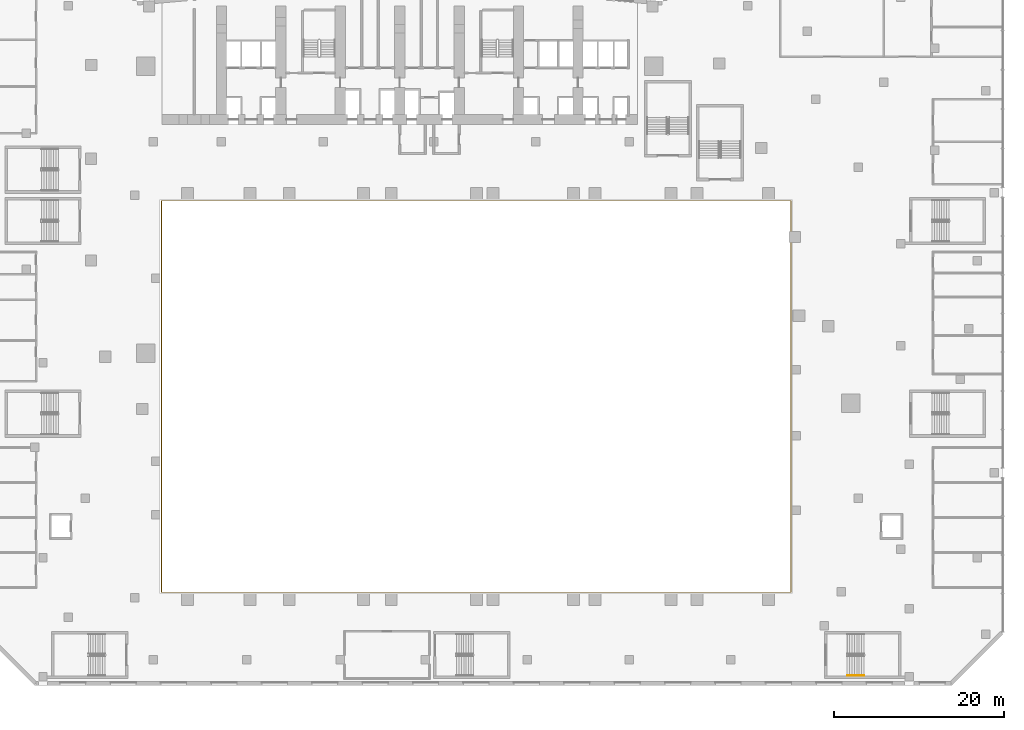
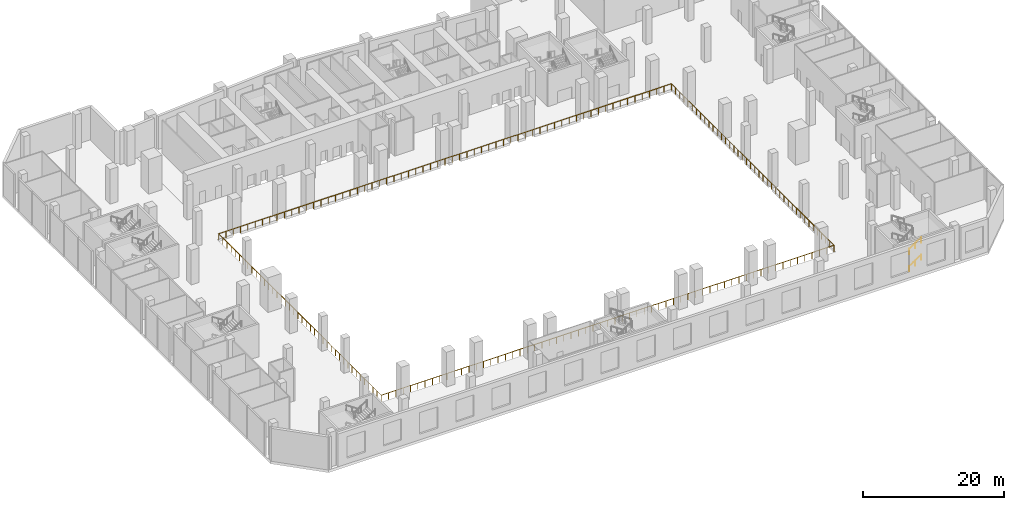
# One storey, part 25 of 30: 3 railings.
"""IFC4 building model written with IfcOpenShell, lengths in metres."""

from ifc_helpers import new_model, si_unit, direction, frame, origin, origin_2d, place, context, subcontext, project, spatial, circle, extrude, material, type_object, element, save


model = new_model("IFC4")

# Units and contexts
model_context = context("Model", 3, precision=1e-05, world=origin(), true_north=direction((0.0, 1.0)))
body_context = subcontext(model_context, "Body", "Model", "MODEL_VIEW")
ifc_project = project(units=[si_unit("LENGTHUNIT", "METRE"), si_unit("AREAUNIT", "SQUARE_METRE"), si_unit("VOLUMEUNIT", "CUBIC_METRE"), si_unit("PLANEANGLEUNIT", "RADIAN"), si_unit("MASSUNIT", "GRAM", prefix="KILO")], contexts=[model_context])

# Site, building, storey
site_placement = place(None, origin())
site = spatial("IfcSite", under=ifc_project, at=site_placement, CompositionType="ELEMENT")
building_placement = place(site_placement, origin())
building = spatial("IfcBuilding", under=site, at=building_placement, Name="Wharfspan Tower", CompositionType="ELEMENT")
storey_placement = place(building_placement, frame((0.0, 0.0, 21.5)))
storey = spatial("IfcBuildingStorey", under=building, at=storey_placement, Name="L03", CompositionType="ELEMENT", Elevation=21.5)

# Railings
ifc_material = material(Name="Steel S355J2", Category="steel")
railing_type_1 = type_object("IfcRailingType", Name="Guard 1100", PredefinedType="GUARDRAIL", material=ifc_material)
railing_placement = place(storey_placement, frame((8.949951, -21.050049, 0.0)))
element("IfcRailing", 1, at=railing_placement, inside=storey, type_object=railing_type_1, Name="Guard on the arena edge L03", PredefinedType="GUARDRAIL", context=body_context, shape_type="SweptSolid", body=[
    extrude(circle(Radius=0.024902, at=origin_2d()), frame((0.0, 0.0, 1.075195), z_axis=(1.0, 0.0, 0.0), x_axis=(0.0, 1.0, 0.0)), (0.0, 0.0, 1.0), 74.100098),
    extrude(circle(Radius=0.024902, at=origin_2d()), frame((74.100098, 0.0, 1.075195), z_axis=(0.0, 1.0, 0.0), x_axis=(-1.0, 0.0, 0.0)), (0.0, 0.0, 1.0), 46.100098),
    extrude(circle(Radius=0.024902, at=origin_2d()), frame((74.100098, 46.100098, 1.075195), z_axis=(-1.0, 0.0, 0.0), x_axis=(0.0, -1.0, 0.0)), (0.0, 0.0, 1.0), 74.100098),
    extrude(circle(Radius=0.024902, at=origin_2d()), frame((0.0, 46.100098, 1.075195), z_axis=(0.0, -1.0, 0.0), x_axis=(1.0, 0.0, 0.0)), (0.0, 0.0, 1.0), 46.100098),
    extrude(circle(Radius=0.02002, at=origin_2d()), origin(), (0.0, 0.0, 1.0), 1.050049),
    extrude(circle(Radius=0.02002, at=origin_2d()), frame((1.195068, 0.0, 0.0)), (0.0, 0.0, 1.0), 1.050049),
    extrude(circle(Radius=0.02002, at=origin_2d()), frame((2.390381, 0.0, 0.0)), (0.0, 0.0, 1.0), 1.050049),
    extrude(circle(Radius=0.02002, at=origin_2d()), frame((3.585449, 0.0, 0.0)), (0.0, 0.0, 1.0), 1.050049),
    extrude(circle(Radius=0.02002, at=origin_2d()), frame((4.780762, 0.0, 0.0)), (0.0, 0.0, 1.0), 1.050049),
    extrude(circle(Radius=0.02002, at=origin_2d()), frame((5.97583, 0.0, 0.0)), (0.0, 0.0, 1.0), 1.050049),
    extrude(circle(Radius=0.02002, at=origin_2d()), frame((7.170898, 0.0, 0.0)), (0.0, 0.0, 1.0), 1.050049),
    extrude(circle(Radius=0.02002, at=origin_2d()), frame((8.366211, 0.0, 0.0)), (0.0, 0.0, 1.0), 1.050049),
    extrude(circle(Radius=0.02002, at=origin_2d()), frame((9.561279, 0.0, 0.0)), (0.0, 0.0, 1.0), 1.050049),
    extrude(circle(Radius=0.02002, at=origin_2d()), frame((10.756348, 0.0, 0.0)), (0.0, 0.0, 1.0), 1.050049),
    extrude(circle(Radius=0.02002, at=origin_2d()), frame((11.95166, 0.0, 0.0)), (0.0, 0.0, 1.0), 1.050049),
    extrude(circle(Radius=0.02002, at=origin_2d()), frame((13.146729, 0.0, 0.0)), (0.0, 0.0, 1.0), 1.050049),
    extrude(circle(Radius=0.02002, at=origin_2d()), frame((14.342041, 0.0, 0.0)), (0.0, 0.0, 1.0), 1.050049),
    extrude(circle(Radius=0.02002, at=origin_2d()), frame((15.537109, 0.0, 0.0)), (0.0, 0.0, 1.0), 1.050049),
    extrude(circle(Radius=0.02002, at=origin_2d()), frame((16.732178, 0.0, 0.0)), (0.0, 0.0, 1.0), 1.050049),
    extrude(circle(Radius=0.02002, at=origin_2d()), frame((17.92749, 0.0, 0.0)), (0.0, 0.0, 1.0), 1.050049),
    extrude(circle(Radius=0.02002, at=origin_2d()), frame((19.122559, 0.0, 0.0)), (0.0, 0.0, 1.0), 1.050049),
    extrude(circle(Radius=0.02002, at=origin_2d()), frame((20.317871, 0.0, 0.0)), (0.0, 0.0, 1.0), 1.050049),
    extrude(circle(Radius=0.02002, at=origin_2d()), frame((21.512939, 0.0, 0.0)), (0.0, 0.0, 1.0), 1.050049),
    extrude(circle(Radius=0.02002, at=origin_2d()), frame((22.708008, 0.0, 0.0)), (0.0, 0.0, 1.0), 1.050049),
    extrude(circle(Radius=0.02002, at=origin_2d()), frame((23.90332, 0.0, 0.0)), (0.0, 0.0, 1.0), 1.050049),
    extrude(circle(Radius=0.02002, at=origin_2d()), frame((25.098389, 0.0, 0.0)), (0.0, 0.0, 1.0), 1.050049),
    extrude(circle(Radius=0.02002, at=origin_2d()), frame((26.293701, 0.0, 0.0)), (0.0, 0.0, 1.0), 1.050049),
    extrude(circle(Radius=0.02002, at=origin_2d()), frame((27.48877, 0.0, 0.0)), (0.0, 0.0, 1.0), 1.050049),
    extrude(circle(Radius=0.02002, at=origin_2d()), frame((28.683838, 0.0, 0.0)), (0.0, 0.0, 1.0), 1.050049),
    extrude(circle(Radius=0.02002, at=origin_2d()), frame((29.87915, 0.0, 0.0)), (0.0, 0.0, 1.0), 1.050049),
    extrude(circle(Radius=0.02002, at=origin_2d()), frame((31.074219, 0.0, 0.0)), (0.0, 0.0, 1.0), 1.050049),
    extrude(circle(Radius=0.02002, at=origin_2d()), frame((32.269287, 0.0, 0.0)), (0.0, 0.0, 1.0), 1.050049),
    extrude(circle(Radius=0.02002, at=origin_2d()), frame((33.4646, 0.0, 0.0)), (0.0, 0.0, 1.0), 1.050049),
    extrude(circle(Radius=0.02002, at=origin_2d()), frame((34.659668, 0.0, 0.0)), (0.0, 0.0, 1.0), 1.050049),
    extrude(circle(Radius=0.02002, at=origin_2d()), frame((35.85498, 0.0, 0.0)), (0.0, 0.0, 1.0), 1.050049),
    extrude(circle(Radius=0.02002, at=origin_2d()), frame((37.050049, 0.0, 0.0)), (0.0, 0.0, 1.0), 1.050049),
    extrude(circle(Radius=0.02002, at=origin_2d()), frame((38.245117, 0.0, 0.0)), (0.0, 0.0, 1.0), 1.050049),
    extrude(circle(Radius=0.02002, at=origin_2d()), frame((39.44043, 0.0, 0.0)), (0.0, 0.0, 1.0), 1.050049),
    extrude(circle(Radius=0.02002, at=origin_2d()), frame((40.635498, 0.0, 0.0)), (0.0, 0.0, 1.0), 1.050049),
    extrude(circle(Radius=0.02002, at=origin_2d()), frame((41.830811, 0.0, 0.0)), (0.0, 0.0, 1.0), 1.050049),
    extrude(circle(Radius=0.02002, at=origin_2d()), frame((43.025879, 0.0, 0.0)), (0.0, 0.0, 1.0), 1.050049),
    extrude(circle(Radius=0.02002, at=origin_2d()), frame((44.220947, 0.0, 0.0)), (0.0, 0.0, 1.0), 1.050049),
    extrude(circle(Radius=0.02002, at=origin_2d()), frame((45.41626, 0.0, 0.0)), (0.0, 0.0, 1.0), 1.050049),
    extrude(circle(Radius=0.02002, at=origin_2d()), frame((46.611328, 0.0, 0.0)), (0.0, 0.0, 1.0), 1.050049),
    extrude(circle(Radius=0.02002, at=origin_2d()), frame((47.806396, 0.0, 0.0)), (0.0, 0.0, 1.0), 1.050049),
    extrude(circle(Radius=0.02002, at=origin_2d()), frame((49.001709, 0.0, 0.0)), (0.0, 0.0, 1.0), 1.050049),
    extrude(circle(Radius=0.02002, at=origin_2d()), frame((50.196777, 0.0, 0.0)), (0.0, 0.0, 1.0), 1.050049),
    extrude(circle(Radius=0.02002, at=origin_2d()), frame((51.39209, 0.0, 0.0)), (0.0, 0.0, 1.0), 1.050049),
    extrude(circle(Radius=0.02002, at=origin_2d()), frame((52.587158, 0.0, 0.0)), (0.0, 0.0, 1.0), 1.050049),
    extrude(circle(Radius=0.02002, at=origin_2d()), frame((53.782227, 0.0, 0.0)), (0.0, 0.0, 1.0), 1.050049),
    extrude(circle(Radius=0.02002, at=origin_2d()), frame((54.977539, 0.0, 0.0)), (0.0, 0.0, 1.0), 1.050049),
    extrude(circle(Radius=0.02002, at=origin_2d()), frame((56.172607, 0.0, 0.0)), (0.0, 0.0, 1.0), 1.050049),
    extrude(circle(Radius=0.02002, at=origin_2d()), frame((57.36792, 0.0, 0.0)), (0.0, 0.0, 1.0), 1.050049),
    extrude(circle(Radius=0.02002, at=origin_2d()), frame((58.562988, 0.0, 0.0)), (0.0, 0.0, 1.0), 1.050049),
    extrude(circle(Radius=0.02002, at=origin_2d()), frame((59.758057, 0.0, 0.0)), (0.0, 0.0, 1.0), 1.050049),
    extrude(circle(Radius=0.02002, at=origin_2d()), frame((60.953369, 0.0, 0.0)), (0.0, 0.0, 1.0), 1.050049),
    extrude(circle(Radius=0.02002, at=origin_2d()), frame((62.148438, 0.0, 0.0)), (0.0, 0.0, 1.0), 1.050049),
    extrude(circle(Radius=0.02002, at=origin_2d()), frame((63.34375, 0.0, 0.0)), (0.0, 0.0, 1.0), 1.050049),
    extrude(circle(Radius=0.02002, at=origin_2d()), frame((64.538818, 0.0, 0.0)), (0.0, 0.0, 1.0), 1.050049),
    extrude(circle(Radius=0.02002, at=origin_2d()), frame((65.733887, 0.0, 0.0)), (0.0, 0.0, 1.0), 1.050049),
    extrude(circle(Radius=0.02002, at=origin_2d()), frame((66.929199, 0.0, 0.0)), (0.0, 0.0, 1.0), 1.050049),
    extrude(circle(Radius=0.02002, at=origin_2d()), frame((68.124268, 0.0, 0.0)), (0.0, 0.0, 1.0), 1.050049),
    extrude(circle(Radius=0.02002, at=origin_2d()), frame((69.319336, 0.0, 0.0)), (0.0, 0.0, 1.0), 1.050049),
    extrude(circle(Radius=0.02002, at=origin_2d()), frame((70.514648, 0.0, 0.0)), (0.0, 0.0, 1.0), 1.050049),
    extrude(circle(Radius=0.02002, at=origin_2d()), frame((71.709717, 0.0, 0.0)), (0.0, 0.0, 1.0), 1.050049),
    extrude(circle(Radius=0.02002, at=origin_2d()), frame((72.905029, 0.0, 0.0)), (0.0, 0.0, 1.0), 1.050049),
    extrude(circle(Radius=0.02002, at=origin_2d()), frame((74.100098, 0.0, 0.0)), (0.0, 0.0, 1.0), 1.050049),
    extrude(circle(Radius=0.02002, at=origin_2d()), frame((74.100098, 1.182129, 0.0)), (0.0, 0.0, 1.0), 1.050049),
    extrude(circle(Radius=0.02002, at=origin_2d()), frame((74.100098, 2.364014, 0.0)), (0.0, 0.0, 1.0), 1.050049),
    extrude(circle(Radius=0.02002, at=origin_2d()), frame((74.100098, 3.546143, 0.0)), (0.0, 0.0, 1.0), 1.050049),
    extrude(circle(Radius=0.02002, at=origin_2d()), frame((74.100098, 4.728271, 0.0)), (0.0, 0.0, 1.0), 1.050049),
    extrude(circle(Radius=0.02002, at=origin_2d()), frame((74.100098, 5.910156, 0.0)), (0.0, 0.0, 1.0), 1.050049),
    extrude(circle(Radius=0.02002, at=origin_2d()), frame((74.100098, 7.092285, 0.0)), (0.0, 0.0, 1.0), 1.050049),
    extrude(circle(Radius=0.02002, at=origin_2d()), frame((74.100098, 8.274414, 0.0)), (0.0, 0.0, 1.0), 1.050049),
    extrude(circle(Radius=0.02002, at=origin_2d()), frame((74.100098, 9.456543, 0.0)), (0.0, 0.0, 1.0), 1.050049),
    extrude(circle(Radius=0.02002, at=origin_2d()), frame((74.100098, 10.638428, 0.0)), (0.0, 0.0, 1.0), 1.050049),
    extrude(circle(Radius=0.02002, at=origin_2d()), frame((74.100098, 11.820557, 0.0)), (0.0, 0.0, 1.0), 1.050049),
    extrude(circle(Radius=0.02002, at=origin_2d()), frame((74.100098, 13.002686, 0.0)), (0.0, 0.0, 1.0), 1.050049),
    extrude(circle(Radius=0.02002, at=origin_2d()), frame((74.100098, 14.18457, 0.0)), (0.0, 0.0, 1.0), 1.050049),
    extrude(circle(Radius=0.02002, at=origin_2d()), frame((74.100098, 15.366699, 0.0)), (0.0, 0.0, 1.0), 1.050049),
    extrude(circle(Radius=0.02002, at=origin_2d()), frame((74.100098, 16.548828, 0.0)), (0.0, 0.0, 1.0), 1.050049),
    extrude(circle(Radius=0.02002, at=origin_2d()), frame((74.100098, 17.730713, 0.0)), (0.0, 0.0, 1.0), 1.050049),
    extrude(circle(Radius=0.02002, at=origin_2d()), frame((74.100098, 18.912842, 0.0)), (0.0, 0.0, 1.0), 1.050049),
    extrude(circle(Radius=0.02002, at=origin_2d()), frame((74.100098, 20.094971, 0.0)), (0.0, 0.0, 1.0), 1.050049),
    extrude(circle(Radius=0.02002, at=origin_2d()), frame((74.100098, 21.276855, 0.0)), (0.0, 0.0, 1.0), 1.050049),
    extrude(circle(Radius=0.02002, at=origin_2d()), frame((74.100098, 22.458984, 0.0)), (0.0, 0.0, 1.0), 1.050049),
    extrude(circle(Radius=0.02002, at=origin_2d()), frame((74.100098, 23.641113, 0.0)), (0.0, 0.0, 1.0), 1.050049),
    extrude(circle(Radius=0.02002, at=origin_2d()), frame((74.100098, 24.823242, 0.0)), (0.0, 0.0, 1.0), 1.050049),
    extrude(circle(Radius=0.02002, at=origin_2d()), frame((74.100098, 26.005127, 0.0)), (0.0, 0.0, 1.0), 1.050049),
    extrude(circle(Radius=0.02002, at=origin_2d()), frame((74.100098, 27.187256, 0.0)), (0.0, 0.0, 1.0), 1.050049),
    extrude(circle(Radius=0.02002, at=origin_2d()), frame((74.100098, 28.369385, 0.0)), (0.0, 0.0, 1.0), 1.050049),
    extrude(circle(Radius=0.02002, at=origin_2d()), frame((74.100098, 29.55127, 0.0)), (0.0, 0.0, 1.0), 1.050049),
    extrude(circle(Radius=0.02002, at=origin_2d()), frame((74.100098, 30.733398, 0.0)), (0.0, 0.0, 1.0), 1.050049),
    extrude(circle(Radius=0.02002, at=origin_2d()), frame((74.100098, 31.915527, 0.0)), (0.0, 0.0, 1.0), 1.050049),
    extrude(circle(Radius=0.02002, at=origin_2d()), frame((74.100098, 33.097412, 0.0)), (0.0, 0.0, 1.0), 1.050049),
    extrude(circle(Radius=0.02002, at=origin_2d()), frame((74.100098, 34.279541, 0.0)), (0.0, 0.0, 1.0), 1.050049),
    extrude(circle(Radius=0.02002, at=origin_2d()), frame((74.100098, 35.46167, 0.0)), (0.0, 0.0, 1.0), 1.050049),
    extrude(circle(Radius=0.02002, at=origin_2d()), frame((74.100098, 36.643555, 0.0)), (0.0, 0.0, 1.0), 1.050049),
    extrude(circle(Radius=0.02002, at=origin_2d()), frame((74.100098, 37.825684, 0.0)), (0.0, 0.0, 1.0), 1.050049),
    extrude(circle(Radius=0.02002, at=origin_2d()), frame((74.100098, 39.007812, 0.0)), (0.0, 0.0, 1.0), 1.050049),
    extrude(circle(Radius=0.02002, at=origin_2d()), frame((74.100098, 40.189941, 0.0)), (0.0, 0.0, 1.0), 1.050049),
    extrude(circle(Radius=0.02002, at=origin_2d()), frame((74.100098, 41.371826, 0.0)), (0.0, 0.0, 1.0), 1.050049),
    extrude(circle(Radius=0.02002, at=origin_2d()), frame((74.100098, 42.553955, 0.0)), (0.0, 0.0, 1.0), 1.050049),
    extrude(circle(Radius=0.02002, at=origin_2d()), frame((74.100098, 43.736084, 0.0)), (0.0, 0.0, 1.0), 1.050049),
    extrude(circle(Radius=0.02002, at=origin_2d()), frame((74.100098, 44.917969, 0.0)), (0.0, 0.0, 1.0), 1.050049),
    extrude(circle(Radius=0.02002, at=origin_2d()), frame((74.100098, 46.100098, 0.0)), (0.0, 0.0, 1.0), 1.050049),
    extrude(circle(Radius=0.02002, at=origin_2d()), frame((72.905029, 46.100098, 0.0)), (0.0, 0.0, 1.0), 1.050049),
    extrude(circle(Radius=0.02002, at=origin_2d()), frame((71.709717, 46.100098, 0.0)), (0.0, 0.0, 1.0), 1.050049),
    extrude(circle(Radius=0.02002, at=origin_2d()), frame((70.514648, 46.100098, 0.0)), (0.0, 0.0, 1.0), 1.050049),
    extrude(circle(Radius=0.02002, at=origin_2d()), frame((69.319336, 46.100098, 0.0)), (0.0, 0.0, 1.0), 1.050049),
    extrude(circle(Radius=0.02002, at=origin_2d()), frame((68.124268, 46.100098, 0.0)), (0.0, 0.0, 1.0), 1.050049),
    extrude(circle(Radius=0.02002, at=origin_2d()), frame((66.929199, 46.100098, 0.0)), (0.0, 0.0, 1.0), 1.050049),
    extrude(circle(Radius=0.02002, at=origin_2d()), frame((65.733887, 46.100098, 0.0)), (0.0, 0.0, 1.0), 1.050049),
    extrude(circle(Radius=0.02002, at=origin_2d()), frame((64.538818, 46.100098, 0.0)), (0.0, 0.0, 1.0), 1.050049),
    extrude(circle(Radius=0.02002, at=origin_2d()), frame((63.34375, 46.100098, 0.0)), (0.0, 0.0, 1.0), 1.050049),
    extrude(circle(Radius=0.02002, at=origin_2d()), frame((62.148438, 46.100098, 0.0)), (0.0, 0.0, 1.0), 1.050049),
    extrude(circle(Radius=0.02002, at=origin_2d()), frame((60.953369, 46.100098, 0.0)), (0.0, 0.0, 1.0), 1.050049),
    extrude(circle(Radius=0.02002, at=origin_2d()), frame((59.758057, 46.100098, 0.0)), (0.0, 0.0, 1.0), 1.050049),
    extrude(circle(Radius=0.02002, at=origin_2d()), frame((58.562988, 46.100098, 0.0)), (0.0, 0.0, 1.0), 1.050049),
    extrude(circle(Radius=0.02002, at=origin_2d()), frame((57.36792, 46.100098, 0.0)), (0.0, 0.0, 1.0), 1.050049),
    extrude(circle(Radius=0.02002, at=origin_2d()), frame((56.172607, 46.100098, 0.0)), (0.0, 0.0, 1.0), 1.050049),
    extrude(circle(Radius=0.02002, at=origin_2d()), frame((54.977539, 46.100098, 0.0)), (0.0, 0.0, 1.0), 1.050049),
    extrude(circle(Radius=0.02002, at=origin_2d()), frame((53.782227, 46.100098, 0.0)), (0.0, 0.0, 1.0), 1.050049),
    extrude(circle(Radius=0.02002, at=origin_2d()), frame((52.587158, 46.100098, 0.0)), (0.0, 0.0, 1.0), 1.050049),
    extrude(circle(Radius=0.02002, at=origin_2d()), frame((51.39209, 46.100098, 0.0)), (0.0, 0.0, 1.0), 1.050049),
    extrude(circle(Radius=0.02002, at=origin_2d()), frame((50.196777, 46.100098, 0.0)), (0.0, 0.0, 1.0), 1.050049),
    extrude(circle(Radius=0.02002, at=origin_2d()), frame((49.001709, 46.100098, 0.0)), (0.0, 0.0, 1.0), 1.050049),
    extrude(circle(Radius=0.02002, at=origin_2d()), frame((47.806396, 46.100098, 0.0)), (0.0, 0.0, 1.0), 1.050049),
    extrude(circle(Radius=0.02002, at=origin_2d()), frame((46.611328, 46.100098, 0.0)), (0.0, 0.0, 1.0), 1.050049),
    extrude(circle(Radius=0.02002, at=origin_2d()), frame((45.41626, 46.100098, 0.0)), (0.0, 0.0, 1.0), 1.050049),
    extrude(circle(Radius=0.02002, at=origin_2d()), frame((44.220947, 46.100098, 0.0)), (0.0, 0.0, 1.0), 1.050049),
    extrude(circle(Radius=0.02002, at=origin_2d()), frame((43.025879, 46.100098, 0.0)), (0.0, 0.0, 1.0), 1.050049),
    extrude(circle(Radius=0.02002, at=origin_2d()), frame((41.830811, 46.100098, 0.0)), (0.0, 0.0, 1.0), 1.050049),
    extrude(circle(Radius=0.02002, at=origin_2d()), frame((40.635498, 46.100098, 0.0)), (0.0, 0.0, 1.0), 1.050049),
    extrude(circle(Radius=0.02002, at=origin_2d()), frame((39.44043, 46.100098, 0.0)), (0.0, 0.0, 1.0), 1.050049),
    extrude(circle(Radius=0.02002, at=origin_2d()), frame((38.245117, 46.100098, 0.0)), (0.0, 0.0, 1.0), 1.050049),
    extrude(circle(Radius=0.02002, at=origin_2d()), frame((37.050049, 46.100098, 0.0)), (0.0, 0.0, 1.0), 1.050049),
    extrude(circle(Radius=0.02002, at=origin_2d()), frame((35.85498, 46.100098, 0.0)), (0.0, 0.0, 1.0), 1.050049),
    extrude(circle(Radius=0.02002, at=origin_2d()), frame((34.659668, 46.100098, 0.0)), (0.0, 0.0, 1.0), 1.050049),
    extrude(circle(Radius=0.02002, at=origin_2d()), frame((33.4646, 46.100098, 0.0)), (0.0, 0.0, 1.0), 1.050049),
    extrude(circle(Radius=0.02002, at=origin_2d()), frame((32.269287, 46.100098, 0.0)), (0.0, 0.0, 1.0), 1.050049),
    extrude(circle(Radius=0.02002, at=origin_2d()), frame((31.074219, 46.100098, 0.0)), (0.0, 0.0, 1.0), 1.050049),
    extrude(circle(Radius=0.02002, at=origin_2d()), frame((29.87915, 46.100098, 0.0)), (0.0, 0.0, 1.0), 1.050049),
    extrude(circle(Radius=0.02002, at=origin_2d()), frame((28.683838, 46.100098, 0.0)), (0.0, 0.0, 1.0), 1.050049),
    extrude(circle(Radius=0.02002, at=origin_2d()), frame((27.48877, 46.100098, 0.0)), (0.0, 0.0, 1.0), 1.050049),
    extrude(circle(Radius=0.02002, at=origin_2d()), frame((26.293701, 46.100098, 0.0)), (0.0, 0.0, 1.0), 1.050049),
    extrude(circle(Radius=0.02002, at=origin_2d()), frame((25.098389, 46.100098, 0.0)), (0.0, 0.0, 1.0), 1.050049),
    extrude(circle(Radius=0.02002, at=origin_2d()), frame((23.90332, 46.100098, 0.0)), (0.0, 0.0, 1.0), 1.050049),
    extrude(circle(Radius=0.02002, at=origin_2d()), frame((22.708008, 46.100098, 0.0)), (0.0, 0.0, 1.0), 1.050049),
    extrude(circle(Radius=0.02002, at=origin_2d()), frame((21.512939, 46.100098, 0.0)), (0.0, 0.0, 1.0), 1.050049),
    extrude(circle(Radius=0.02002, at=origin_2d()), frame((20.317871, 46.100098, 0.0)), (0.0, 0.0, 1.0), 1.050049),
    extrude(circle(Radius=0.02002, at=origin_2d()), frame((19.122559, 46.100098, 0.0)), (0.0, 0.0, 1.0), 1.050049),
    extrude(circle(Radius=0.02002, at=origin_2d()), frame((17.92749, 46.100098, 0.0)), (0.0, 0.0, 1.0), 1.050049),
    extrude(circle(Radius=0.02002, at=origin_2d()), frame((16.732178, 46.100098, 0.0)), (0.0, 0.0, 1.0), 1.050049),
    extrude(circle(Radius=0.02002, at=origin_2d()), frame((15.537109, 46.100098, 0.0)), (0.0, 0.0, 1.0), 1.050049),
    extrude(circle(Radius=0.02002, at=origin_2d()), frame((14.342041, 46.100098, 0.0)), (0.0, 0.0, 1.0), 1.050049),
    extrude(circle(Radius=0.02002, at=origin_2d()), frame((13.146729, 46.100098, 0.0)), (0.0, 0.0, 1.0), 1.050049),
    extrude(circle(Radius=0.02002, at=origin_2d()), frame((11.95166, 46.100098, 0.0)), (0.0, 0.0, 1.0), 1.050049),
    extrude(circle(Radius=0.02002, at=origin_2d()), frame((10.756348, 46.100098, 0.0)), (0.0, 0.0, 1.0), 1.050049),
    extrude(circle(Radius=0.02002, at=origin_2d()), frame((9.561279, 46.100098, 0.0)), (0.0, 0.0, 1.0), 1.050049),
    extrude(circle(Radius=0.02002, at=origin_2d()), frame((8.366211, 46.100098, 0.0)), (0.0, 0.0, 1.0), 1.050049),
    extrude(circle(Radius=0.02002, at=origin_2d()), frame((7.170898, 46.100098, 0.0)), (0.0, 0.0, 1.0), 1.050049),
    extrude(circle(Radius=0.02002, at=origin_2d()), frame((5.97583, 46.100098, 0.0)), (0.0, 0.0, 1.0), 1.050049),
    extrude(circle(Radius=0.02002, at=origin_2d()), frame((4.780762, 46.100098, 0.0)), (0.0, 0.0, 1.0), 1.050049),
    extrude(circle(Radius=0.02002, at=origin_2d()), frame((3.585449, 46.100098, 0.0)), (0.0, 0.0, 1.0), 1.050049),
    extrude(circle(Radius=0.02002, at=origin_2d()), frame((2.390381, 46.100098, 0.0)), (0.0, 0.0, 1.0), 1.050049),
    extrude(circle(Radius=0.02002, at=origin_2d()), frame((1.195068, 46.100098, 0.0)), (0.0, 0.0, 1.0), 1.050049),
    extrude(circle(Radius=0.02002, at=origin_2d()), frame((0.0, 46.100098, 0.0)), (0.0, 0.0, 1.0), 1.050049),
    extrude(circle(Radius=0.02002, at=origin_2d()), frame((0.0, 44.917969, 0.0)), (0.0, 0.0, 1.0), 1.050049),
    extrude(circle(Radius=0.02002, at=origin_2d()), frame((0.0, 43.736084, 0.0)), (0.0, 0.0, 1.0), 1.050049),
    extrude(circle(Radius=0.02002, at=origin_2d()), frame((0.0, 42.553955, 0.0)), (0.0, 0.0, 1.0), 1.050049),
    extrude(circle(Radius=0.02002, at=origin_2d()), frame((0.0, 41.371826, 0.0)), (0.0, 0.0, 1.0), 1.050049),
    extrude(circle(Radius=0.02002, at=origin_2d()), frame((0.0, 40.189941, 0.0)), (0.0, 0.0, 1.0), 1.050049),
    extrude(circle(Radius=0.02002, at=origin_2d()), frame((0.0, 39.007812, 0.0)), (0.0, 0.0, 1.0), 1.050049),
    extrude(circle(Radius=0.02002, at=origin_2d()), frame((0.0, 37.825684, 0.0)), (0.0, 0.0, 1.0), 1.050049),
    extrude(circle(Radius=0.02002, at=origin_2d()), frame((0.0, 36.643555, 0.0)), (0.0, 0.0, 1.0), 1.050049),
    extrude(circle(Radius=0.02002, at=origin_2d()), frame((0.0, 35.46167, 0.0)), (0.0, 0.0, 1.0), 1.050049),
    extrude(circle(Radius=0.02002, at=origin_2d()), frame((0.0, 34.279541, 0.0)), (0.0, 0.0, 1.0), 1.050049),
    extrude(circle(Radius=0.02002, at=origin_2d()), frame((0.0, 33.097412, 0.0)), (0.0, 0.0, 1.0), 1.050049),
    extrude(circle(Radius=0.02002, at=origin_2d()), frame((0.0, 31.915527, 0.0)), (0.0, 0.0, 1.0), 1.050049),
    extrude(circle(Radius=0.02002, at=origin_2d()), frame((0.0, 30.733398, 0.0)), (0.0, 0.0, 1.0), 1.050049),
    extrude(circle(Radius=0.02002, at=origin_2d()), frame((0.0, 29.55127, 0.0)), (0.0, 0.0, 1.0), 1.050049),
    extrude(circle(Radius=0.02002, at=origin_2d()), frame((0.0, 28.369385, 0.0)), (0.0, 0.0, 1.0), 1.050049),
    extrude(circle(Radius=0.02002, at=origin_2d()), frame((0.0, 27.187256, 0.0)), (0.0, 0.0, 1.0), 1.050049),
    extrude(circle(Radius=0.02002, at=origin_2d()), frame((0.0, 26.005127, 0.0)), (0.0, 0.0, 1.0), 1.050049),
    extrude(circle(Radius=0.02002, at=origin_2d()), frame((0.0, 24.823242, 0.0)), (0.0, 0.0, 1.0), 1.050049),
    extrude(circle(Radius=0.02002, at=origin_2d()), frame((0.0, 23.641113, 0.0)), (0.0, 0.0, 1.0), 1.050049),
    extrude(circle(Radius=0.02002, at=origin_2d()), frame((0.0, 22.458984, 0.0)), (0.0, 0.0, 1.0), 1.050049),
    extrude(circle(Radius=0.02002, at=origin_2d()), frame((0.0, 21.276855, 0.0)), (0.0, 0.0, 1.0), 1.050049),
    extrude(circle(Radius=0.02002, at=origin_2d()), frame((0.0, 20.094971, 0.0)), (0.0, 0.0, 1.0), 1.050049),
    extrude(circle(Radius=0.02002, at=origin_2d()), frame((0.0, 18.912842, 0.0)), (0.0, 0.0, 1.0), 1.050049),
    extrude(circle(Radius=0.02002, at=origin_2d()), frame((0.0, 17.730713, 0.0)), (0.0, 0.0, 1.0), 1.050049),
    extrude(circle(Radius=0.02002, at=origin_2d()), frame((0.0, 16.548828, 0.0)), (0.0, 0.0, 1.0), 1.050049),
    extrude(circle(Radius=0.02002, at=origin_2d()), frame((0.0, 15.366699, 0.0)), (0.0, 0.0, 1.0), 1.050049),
    extrude(circle(Radius=0.02002, at=origin_2d()), frame((0.0, 14.18457, 0.0)), (0.0, 0.0, 1.0), 1.050049),
    extrude(circle(Radius=0.02002, at=origin_2d()), frame((0.0, 13.002686, 0.0)), (0.0, 0.0, 1.0), 1.050049),
    extrude(circle(Radius=0.02002, at=origin_2d()), frame((0.0, 11.820557, 0.0)), (0.0, 0.0, 1.0), 1.050049),
    extrude(circle(Radius=0.02002, at=origin_2d()), frame((0.0, 10.638428, 0.0)), (0.0, 0.0, 1.0), 1.050049),
    extrude(circle(Radius=0.02002, at=origin_2d()), frame((0.0, 9.456543, 0.0)), (0.0, 0.0, 1.0), 1.050049),
    extrude(circle(Radius=0.02002, at=origin_2d()), frame((0.0, 8.274414, 0.0)), (0.0, 0.0, 1.0), 1.050049),
    extrude(circle(Radius=0.02002, at=origin_2d()), frame((0.0, 7.092285, 0.0)), (0.0, 0.0, 1.0), 1.050049),
    extrude(circle(Radius=0.02002, at=origin_2d()), frame((0.0, 5.910156, 0.0)), (0.0, 0.0, 1.0), 1.050049),
    extrude(circle(Radius=0.02002, at=origin_2d()), frame((0.0, 4.728271, 0.0)), (0.0, 0.0, 1.0), 1.050049),
    extrude(circle(Radius=0.02002, at=origin_2d()), frame((0.0, 3.546143, 0.0)), (0.0, 0.0, 1.0), 1.050049),
    extrude(circle(Radius=0.02002, at=origin_2d()), frame((0.0, 2.364014, 0.0)), (0.0, 0.0, 1.0), 1.050049),
    extrude(circle(Radius=0.02002, at=origin_2d()), frame((0.0, 1.182129, 0.0)), (0.0, 0.0, 1.0), 1.050049),
])
railing_type_2 = type_object("IfcRailingType", Name="Podium stair handrail 900", PredefinedType="HANDRAIL", material=ifc_material)
for number, where, name in (
    (2, (89.699951, -30.850098, 0.1875), "L03 AS2 stair handrail 1"),
    (3, (89.699951, -30.850098, 3.1875), "L03 AS2 stair handrail 3"),
):
    element("IfcRailing", number, at=place(storey_placement, frame(where)), inside=storey, type_object=railing_type_2, Name=name, PredefinedType="HANDRAIL", context=body_context, shape_type="SweptSolid", body=[
        extrude(circle(Radius=0.023926, at=origin_2d()), frame((0.0, 0.0, 0.875977), z_axis=(0.830902, 0.0, 0.556419), x_axis=(0.0, 1.0, 0.0)), (0.0, 0.0, 1.0), 2.358887),
        extrude(circle(Radius=0.020996, at=origin_2d()), origin(), (0.0, 0.0, 1.0), 0.851807),
        extrude(circle(Radius=0.020996, at=origin_2d()), frame((0.97998, 0.0, 0.65625)), (0.0, 0.0, 1.0), 0.851807),
        extrude(circle(Radius=0.020996, at=origin_2d()), frame((1.959961, 0.0, 1.3125)), (0.0, 0.0, 1.0), 0.851807),
    ])

save(model, "model.ifc")
